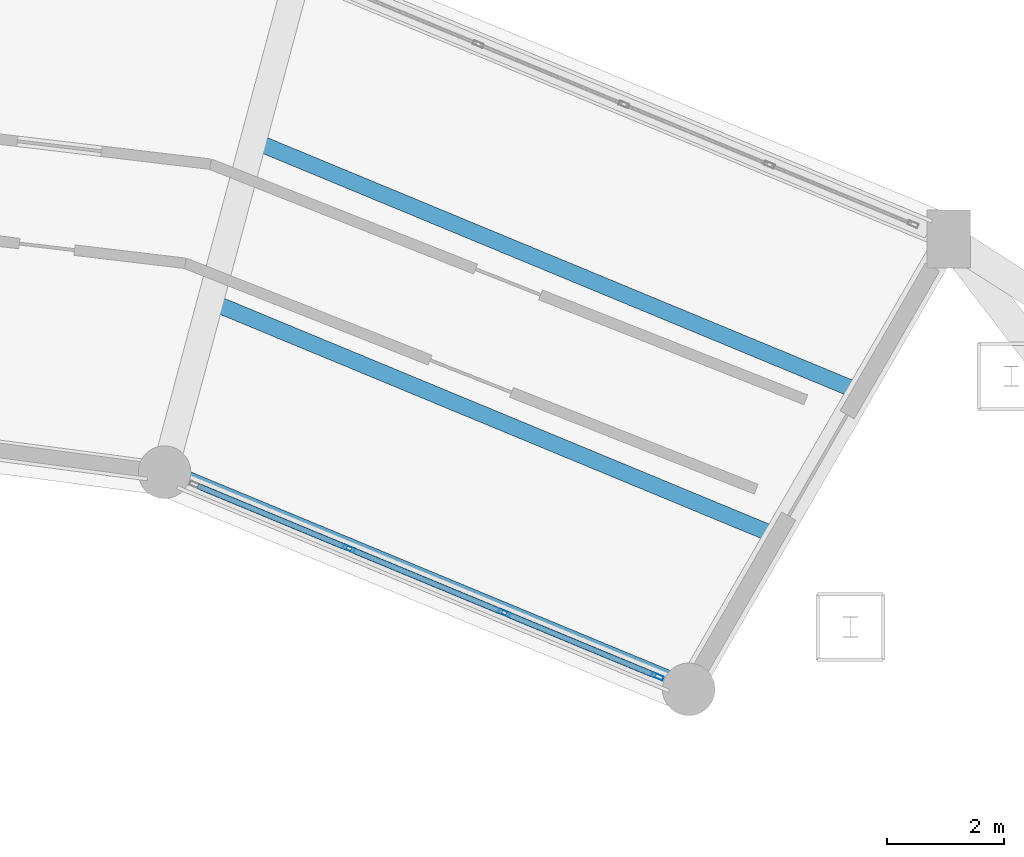
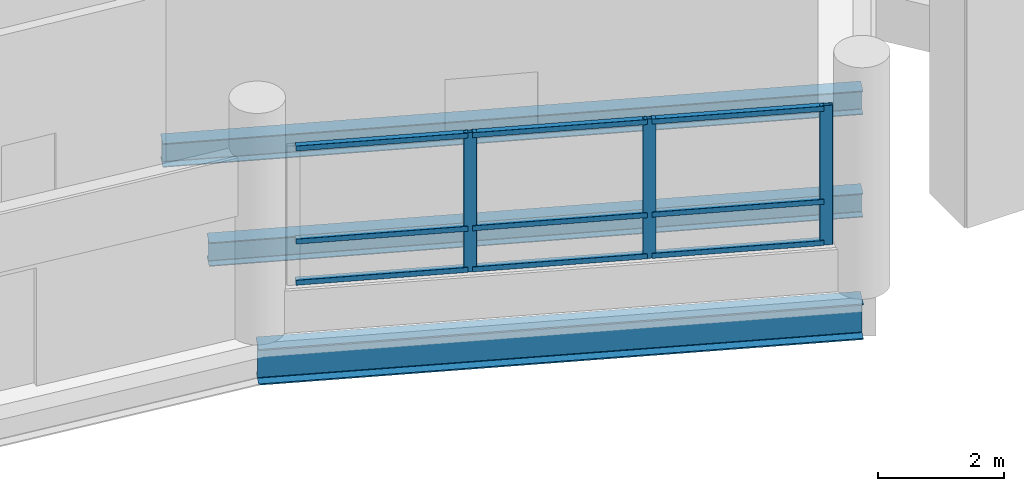
# One storey, part 62 of 129: 12 members, 3 beams, 1 element without a shape of its own.
"""IFC4 building model written with IfcOpenShell, lengths in metres."""

from ifc_helpers import new_model, si_unit, direction, frame, origin, origin_2d, place, context, subcontext, project, spatial, hollow_rectangle, i_section, extrude, material, layer, layer_set, material_profile, profile_set, type_object, element, aggregate, save


model = new_model("IFC4")

# Units and contexts
model_context = context("Model", 3, precision=1e-05, world=origin(), true_north=direction((0.0, 1.0)))
body_context = subcontext(model_context, "Body", "Model", "MODEL_VIEW")
ifc_project = project(units=[si_unit("LENGTHUNIT", "METRE"), si_unit("AREAUNIT", "SQUARE_METRE"), si_unit("VOLUMEUNIT", "CUBIC_METRE"), si_unit("PLANEANGLEUNIT", "RADIAN"), si_unit("MASSUNIT", "GRAM", prefix="KILO")], contexts=[model_context])

# Site, building, storey
site_placement = place(None, origin())
site = spatial("IfcSite", under=ifc_project, at=site_placement, CompositionType="ELEMENT")
building_placement = place(site_placement, origin())
building = spatial("IfcBuilding", under=site, at=building_placement, Name="Vespera Passage Community Centre", CompositionType="ELEMENT")
storey_placement = place(building_placement, origin())
storey = spatial("IfcBuildingStorey", under=building, at=storey_placement, Name="L00", CompositionType="ELEMENT", Elevation=0.0)

# Beams
ifc_material_1 = material(Name="Steel ASTM A992 Grade 50", Category="steel")
ifc_material_profile_1 = material_profile(ifc_material_1, i_section(OverallWidth=0.280517578125, OverallDepth=0.46240234375, WebThickness=0.0107421875, FlangeThickness=0.017333984375, FilletRadius=0.01025390625, at=origin_2d()), Name="W18X76")
ifc_profile_set_1 = profile_set([ifc_material_profile_1], Name="Steel ASTM A992 Grade 50")
beam_type_1 = type_object("IfcBeamType", Name="BM-J-W18X76", PredefinedType="JOIST", material=ifc_profile_set_1)
beam_1_placement = place(storey_placement, frame((98.113037109375, 100.336669921875, -0.510986328125), z_axis=(-0.92387968492, 0.382683064417, 0.0), x_axis=(-0.382683064417, -0.92387968492, 0.0)))
element("IfcBeam", 1, at=beam_1_placement, inside=storey, type_object=beam_type_1, Name="V4 L00 Floor Joist 4.1", PredefinedType="JOIST", context=body_context, shape_type="SweptSolid", body=[
    extrude(i_section(OverallWidth=0.280517578125, OverallDepth=0.46240234375, WebThickness=0.0107421875, FlangeThickness=0.017333984375, FilletRadius=0.01025390625, at=origin_2d()), origin(), (0.0, 0.0, 1.0), 10.5009765625),
])
beam_2_placement = place(storey_placement, frame((99.537109375, 102.80322265625, -0.510986328125), z_axis=(-0.923884257257, 0.38267202562, 0.0), x_axis=(-0.38267202562, -0.923884257257, 0.0)))
element("IfcBeam", 2, at=beam_2_placement, inside=storey, type_object=beam_type_1, Name="V4 L00 Floor Joist 4.2", PredefinedType="JOIST", context=body_context, shape_type="SweptSolid", body=[
    extrude(i_section(OverallWidth=0.280517578125, OverallDepth=0.46240234375, WebThickness=0.0107421875, FlangeThickness=0.017333984375, FilletRadius=0.01025390625, at=origin_2d()), origin(), (0.0, 0.0, 1.0), 11.24462890625),
])
ifc_material_2 = material(Name="Steel ASTM A992 Grade 50", Category="steel")
ifc_material_profile_2 = material_profile(ifc_material_2, i_section(OverallWidth=0.3544921875, OverallDepth=0.695556640625, WebThickness=0.015380859375, FlangeThickness=0.024658203125, FilletRadius=0.01513671875, at=origin_2d()), Name="W27X146")
ifc_profile_set_2 = profile_set([ifc_material_profile_2], Name="Steel ASTM A992 Grade 50")
beam_type_2 = type_object("IfcBeamType", Name="BM-SP-W27X146E", PredefinedType="SPANDREL", material=ifc_profile_set_2)
beam_3_placement = place(storey_placement, frame((96.60009765625, 97.716064453125, -0.627685546875), z_axis=(-0.923878947685, 0.382684844258, 0.0), x_axis=(-0.382684844258, -0.923878947685, 0.0)))
element("IfcBeam", 3, at=beam_3_placement, inside=storey, type_object=beam_type_2, Name="V4 L00 Inner Spandrel 4", PredefinedType="SPANDREL", context=body_context, shape_type="SweptSolid", body=[
    extrude(i_section(OverallWidth=0.3544921875, OverallDepth=0.695556640625, WebThickness=0.015380859375, FlangeThickness=0.024658203125, FilletRadius=0.01513671875, at=origin_2d()), origin(), (0.0, 0.0, 1.0), 9.711181640625),
])

# Curtain wall, members
ifc_material_3 = material(Name="Anodized aluminium 6063-T6", Category="aluminium")
ifc_layer = layer(ifc_material_3, 0.159912109375)
ifc_layer_set = layer_set([ifc_layer], Name="Anodized aluminium 6063-T6")
curtain_wall_type = type_object("IfcCurtainWallType", Name="CW-02E", PredefinedType="NOTDEFINED", material=ifc_layer_set)
curtain_wall_placement = place(storey_placement, origin())
curtain_wall = element("IfcCurtainWall", 4, at=curtain_wall_placement, inside=storey, type_object=curtain_wall_type, Name="V4 L00 Inner Court Curtain Wall 4", PredefinedType="NOTDEFINED")
ifc_material_4 = material(Name="Anodized aluminium 6063-T6", Category="aluminium")
ifc_material_profile_3 = material_profile(ifc_material_4, hollow_rectangle(XDim=0.074951171875, YDim=0.2099609375, WallThickness=0.0048828125, InnerFilletRadius=0.00244140625, OuterFilletRadius=0.0048828125, at=origin_2d()), Name="ALU210X75X5")
ifc_profile_set_3 = profile_set([ifc_material_profile_3], Name="Anodized aluminium 6063-T6")
member_type_1 = type_object("IfcMemberType", Name="MB-CWM-210E", PredefinedType="MULLION", material=ifc_profile_set_3)
member_1_placement = place(storey_placement, frame((96.066650390625, 97.93701171875, 0.820068359375), z_axis=(0.0, 0.0, 1.0), x_axis=(-0.382690463482, -0.923876620096, 0.0)))
member_1 = element("IfcMember", 5, at=member_1_placement, type_object=member_type_1, Name="CW-02E mullion 1", PredefinedType="MULLION", context=body_context, shape_type="SweptSolid", body=[
    extrude(hollow_rectangle(XDim=0.074951171875, YDim=0.2099609375, WallThickness=0.0048828125, InnerFilletRadius=0.00244140625, OuterFilletRadius=0.0048828125, at=origin_2d()), origin(), (0.0, 0.0, 1.0), 2.709228515625),
])
member_2_placement = place(storey_placement, frame((93.443115234375, 99.023681640625, 0.820068359375), z_axis=(0.0, 0.0, 1.0), x_axis=(-0.382690463482, -0.923876620096, 0.0)))
member_2 = element("IfcMember", 6, at=member_2_placement, type_object=member_type_1, Name="CW-02E mullion 2", PredefinedType="MULLION", context=body_context, shape_type="SweptSolid", body=[
    extrude(hollow_rectangle(XDim=0.074951171875, YDim=0.2099609375, WallThickness=0.0048828125, InnerFilletRadius=0.00244140625, OuterFilletRadius=0.0048828125, at=origin_2d()), origin(), (0.0, 0.0, 1.0), 2.709228515625),
])
member_3_placement = place(storey_placement, frame((90.784912109375, 100.124755859375, 0.820068359375), z_axis=(0.0, 0.0, 1.0), x_axis=(-0.382690463482, -0.923876620096, 0.0)))
member_3 = element("IfcMember", 7, at=member_3_placement, type_object=member_type_1, Name="CW-02E mullion 3", PredefinedType="MULLION", context=body_context, shape_type="SweptSolid", body=[
    extrude(hollow_rectangle(XDim=0.074951171875, YDim=0.2099609375, WallThickness=0.0048828125, InnerFilletRadius=0.00244140625, OuterFilletRadius=0.0048828125, at=origin_2d()), origin(), (0.0, 0.0, 1.0), 2.709228515625),
])
ifc_material_5 = material(Name="Anodized aluminium 6063-T6", Category="aluminium")
ifc_material_profile_4 = material_profile(ifc_material_5, hollow_rectangle(XDim=0.10009765625, YDim=0.10009765625, WallThickness=0.00390625, InnerFilletRadius=0.001953125, OuterFilletRadius=0.00390625, at=origin_2d()), Name="ALU100X100X4")
ifc_profile_set_4 = profile_set([ifc_material_profile_4], Name="Anodized aluminium 6063-T6")
member_type_2 = type_object("IfcMemberType", Name="MB-CWT-100E", PredefinedType="USERDEFINED", material=ifc_profile_set_4)
member_4_placement = place(storey_placement, frame((96.0322265625, 97.951416015625, 0.8701171875), z_axis=(-0.923908142805, 0.382614353701, 0.0), x_axis=(-0.382614353701, -0.923908142805, 0.0)))
member_4 = element("IfcMember", 8, at=member_4_placement, type_object=member_type_2, Name="CW-02E transom 1.1", ObjectType="TRANSOM", PredefinedType="USERDEFINED", context=body_context, shape_type="SweptSolid", body=[
    extrude(hollow_rectangle(XDim=0.10009765625, YDim=0.10009765625, WallThickness=0.00390625, InnerFilletRadius=0.001953125, OuterFilletRadius=0.00390625, at=origin_2d()), origin(), (0.0, 0.0, 1.0), 2.764892578125),
])
member_5_placement = place(storey_placement, frame((96.0322265625, 97.951416015625, 1.669921875), z_axis=(-0.923908142805, 0.382614353701, 0.0), x_axis=(-0.382614353701, -0.923908142805, 0.0)))
member_5 = element("IfcMember", 9, at=member_5_placement, type_object=member_type_2, Name="CW-02E transom 1.2", ObjectType="TRANSOM", PredefinedType="USERDEFINED", context=body_context, shape_type="SweptSolid", body=[
    extrude(hollow_rectangle(XDim=0.10009765625, YDim=0.10009765625, WallThickness=0.00390625, InnerFilletRadius=0.001953125, OuterFilletRadius=0.00390625, at=origin_2d()), origin(), (0.0, 0.0, 1.0), 2.764892578125),
])
member_6_placement = place(storey_placement, frame((96.0322265625, 97.951416015625, 3.4794921875), z_axis=(-0.923908142805, 0.382614353701, 0.0), x_axis=(-0.382614353701, -0.923908142805, 0.0)))
member_6 = element("IfcMember", 10, at=member_6_placement, type_object=member_type_2, Name="CW-02E transom 1.3", ObjectType="TRANSOM", PredefinedType="USERDEFINED", context=body_context, shape_type="SweptSolid", body=[
    extrude(hollow_rectangle(XDim=0.10009765625, YDim=0.10009765625, WallThickness=0.00390625, InnerFilletRadius=0.001953125, OuterFilletRadius=0.00390625, at=origin_2d()), origin(), (0.0, 0.0, 1.0), 2.764892578125),
])
member_7_placement = place(storey_placement, frame((93.408447265625, 99.0380859375, 0.8701171875), z_axis=(-0.923889408399, 0.382659588994, 0.0), x_axis=(-0.382659588994, -0.923889408399, 0.0)))
member_7 = element("IfcMember", 11, at=member_7_placement, type_object=member_type_2, Name="CW-02E transom 2.1", ObjectType="TRANSOM", PredefinedType="USERDEFINED", context=body_context, shape_type="SweptSolid", body=[
    extrude(hollow_rectangle(XDim=0.10009765625, YDim=0.10009765625, WallThickness=0.00390625, InnerFilletRadius=0.001953125, OuterFilletRadius=0.00390625, at=origin_2d()), origin(), (0.0, 0.0, 1.0), 2.80224609375),
])
member_8_placement = place(storey_placement, frame((93.408447265625, 99.0380859375, 1.669921875), z_axis=(-0.923889408399, 0.382659588994, 0.0), x_axis=(-0.382659588994, -0.923889408399, 0.0)))
member_8 = element("IfcMember", 12, at=member_8_placement, type_object=member_type_2, Name="CW-02E transom 2.2", ObjectType="TRANSOM", PredefinedType="USERDEFINED", context=body_context, shape_type="SweptSolid", body=[
    extrude(hollow_rectangle(XDim=0.10009765625, YDim=0.10009765625, WallThickness=0.00390625, InnerFilletRadius=0.001953125, OuterFilletRadius=0.00390625, at=origin_2d()), origin(), (0.0, 0.0, 1.0), 2.80224609375),
])
member_9_placement = place(storey_placement, frame((93.408447265625, 99.0380859375, 3.4794921875), z_axis=(-0.923889408399, 0.382659588994, 0.0), x_axis=(-0.382659588994, -0.923889408399, 0.0)))
member_9 = element("IfcMember", 13, at=member_9_placement, type_object=member_type_2, Name="CW-02E transom 2.3", ObjectType="TRANSOM", PredefinedType="USERDEFINED", context=body_context, shape_type="SweptSolid", body=[
    extrude(hollow_rectangle(XDim=0.10009765625, YDim=0.10009765625, WallThickness=0.00390625, InnerFilletRadius=0.001953125, OuterFilletRadius=0.00390625, at=origin_2d()), origin(), (0.0, 0.0, 1.0), 2.80224609375),
])
member_10_placement = place(storey_placement, frame((90.750244140625, 100.13916015625, 0.8701171875), z_axis=(-0.923863992677, 0.382720946689, 0.0), x_axis=(-0.382720946689, -0.923863992677, 0.0)))
member_10 = element("IfcMember", 14, at=member_10_placement, type_object=member_type_2, Name="CW-02E transom 3.1", ObjectType="TRANSOM", PredefinedType="USERDEFINED", context=body_context, shape_type="SweptSolid", body=[
    extrude(hollow_rectangle(XDim=0.10009765625, YDim=0.10009765625, WallThickness=0.00390625, InnerFilletRadius=0.001953125, OuterFilletRadius=0.00390625, at=origin_2d()), origin(), (0.0, 0.0, 1.0), 2.7646484375),
])
member_11_placement = place(storey_placement, frame((90.750244140625, 100.13916015625, 1.669921875), z_axis=(-0.923863992677, 0.382720946689, 0.0), x_axis=(-0.382720946689, -0.923863992677, 0.0)))
member_11 = element("IfcMember", 15, at=member_11_placement, type_object=member_type_2, Name="CW-02E transom 3.2", ObjectType="TRANSOM", PredefinedType="USERDEFINED", context=body_context, shape_type="SweptSolid", body=[
    extrude(hollow_rectangle(XDim=0.10009765625, YDim=0.10009765625, WallThickness=0.00390625, InnerFilletRadius=0.001953125, OuterFilletRadius=0.00390625, at=origin_2d()), origin(), (0.0, 0.0, 1.0), 2.7646484375),
])
member_12_placement = place(storey_placement, frame((90.750244140625, 100.13916015625, 3.4794921875), z_axis=(-0.923863992677, 0.382720946689, 0.0), x_axis=(-0.382720946689, -0.923863992677, 0.0)))
member_12 = element("IfcMember", 16, at=member_12_placement, type_object=member_type_2, Name="CW-02E transom 3.3", ObjectType="TRANSOM", PredefinedType="USERDEFINED", context=body_context, shape_type="SweptSolid", body=[
    extrude(hollow_rectangle(XDim=0.10009765625, YDim=0.10009765625, WallThickness=0.00390625, InnerFilletRadius=0.001953125, OuterFilletRadius=0.00390625, at=origin_2d()), origin(), (0.0, 0.0, 1.0), 2.7646484375),
])
aggregate(curtain_wall, [member_1, member_2, member_3, member_4, member_5, member_6, member_7, member_8, member_9, member_10, member_11, member_12])

save(model, "model.ifc")
